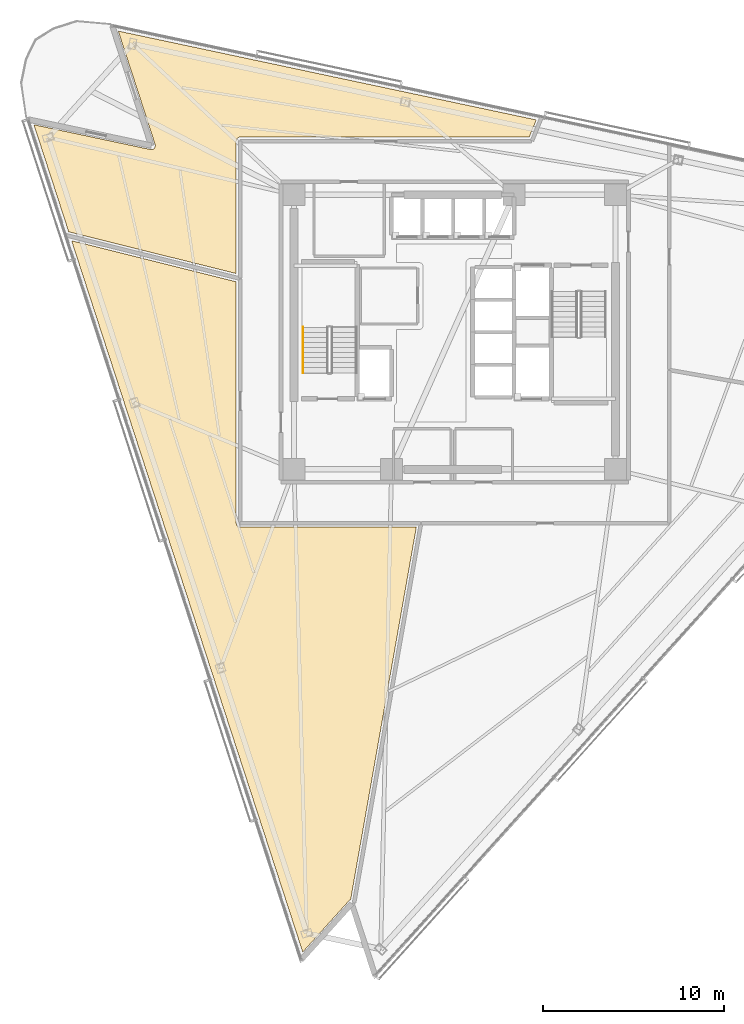
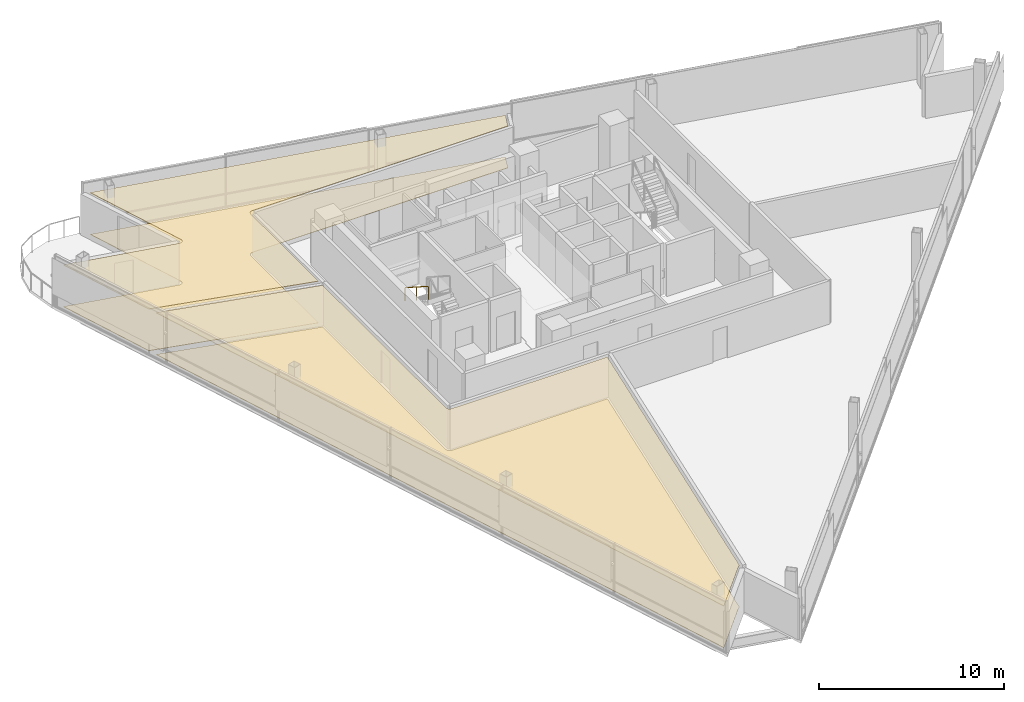
# One storey, part 14 of 16: 4 coverings, 1 railing.
"""IFC4 building model written with IfcOpenShell, lengths in metres."""

from ifc_helpers import new_model, si_unit, direction, frame, origin, origin_2d, place, context, subcontext, project, spatial, polyline, rectangle, outline, extrude, material, layer, layer_set, type_object, element, save


model = new_model("IFC4")

# Units and contexts
model_context = context("Model", 3, precision=1e-05, world=origin(), true_north=direction((0.0, 1.0)))
body_context = subcontext(model_context, "Body", "Model", "MODEL_VIEW")
ifc_project = project(units=[si_unit("LENGTHUNIT", "METRE"), si_unit("AREAUNIT", "SQUARE_METRE"), si_unit("VOLUMEUNIT", "CUBIC_METRE"), si_unit("PLANEANGLEUNIT", "RADIAN"), si_unit("MASSUNIT", "GRAM", prefix="KILO")], contexts=[model_context])

# Site, building, storey
site_placement = place(None, origin())
site = spatial("IfcSite", under=ifc_project, at=site_placement, CompositionType="ELEMENT")
building_placement = place(site_placement, origin())
building = spatial("IfcBuilding", under=site, at=building_placement, Name="Tharavind Bronze Gate", CompositionType="ELEMENT")
storey_placement = place(building_placement, frame((0.0, 0.0, 211.25)))
storey = spatial("IfcBuildingStorey", under=building, at=storey_placement, Name="L54", CompositionType="ELEMENT", Elevation=211.25)

# Coverings
ifc_material_1 = material(Name="Perforated Bronze Acoustic Panel", Category="bronze")
ifc_layer_1 = layer(ifc_material_1, 0.044921875)
ifc_layer_set_1 = layer_set([ifc_layer_1], Name="Perforated Bronze Acoustic Panel")
covering_type_1 = type_object("IfcCoveringType", Name="ACOUSTIC BRONZE BAFFLE CEILING", PredefinedType="CEILING", material=ifc_layer_set_1)
covering_1_placement = place(storey_placement, frame((0.0, 0.0, 2.75)))
element("IfcCovering", 1, at=covering_1_placement, inside=storey, type_object=covering_type_1, Name="L54-RM-01 suspended ceiling", PredefinedType="CEILING", context=body_context, shape_type="SweptSolid", body=[
    extrude(outline(polyline([(-21.376708984375, 5.556396484375), (-12.10009765625, 3.24365234375), (-12.10009765625, 10.579345703125), (-12.099609375, 10.590087890625), (-12.099609375, 10.5908203125), (-12.09765625, 10.6123046875), (-12.093505859375, 10.63330078125), (-12.087158203125, 10.654052734375), (-12.078857421875, 10.674072265625), (-12.068603515625, 10.693115234375), (-12.056640625, 10.7109375), (-12.04296875, 10.727783203125), (-12.027587890625, 10.742919921875), (-12.010986328125, 10.756591796875), (-11.9931640625, 10.768798828125), (-11.97412109375, 10.77880859375), (-11.9541015625, 10.787109375), (-11.933349609375, 10.79345703125), (-11.912353515625, 10.797607421875), (-11.890869140625, 10.7998046875), (-11.89013671875, 10.7998046875), (-11.87939453125, 10.800048828125), (4.126220703125, 10.800048828125), (4.511474609375, 11.753662109375), (-18.6328125, 16.673095703125), (-16.59375, 10.39794921875), (-16.590576171875, 10.387451171875), (-16.59033203125, 10.38671875), (-16.585693359375, 10.365478515625), (-16.583251953125, 10.343505859375), (-16.5830078125, 10.32177734375), (-16.584716796875, 10.2998046875), (-16.5888671875, 10.2783203125), (-16.594970703125, 10.257080078125), (-16.60302734375, 10.23681640625), (-16.61328125, 10.21728515625), (-16.62548828125, 10.19921875), (-16.63916015625, 10.18212890625), (-16.65478515625, 10.16650390625), (-16.671630859375, 10.152587890625), (-16.68994140625, 10.140380859375), (-16.709228515625, 10.130126953125), (-16.7294921875, 10.121826171875), (-16.75048828125, 10.115478515625), (-16.772216796875, 10.111572265625), (-16.7939453125, 10.109619140625), (-16.81591796875, 10.109619140625), (-16.837646484375, 10.112060546875), (-16.83837890625, 10.1123046875), (-16.84912109375, 10.1142578125), (-23.30322265625, 11.486083984375), (-21.376708984375, 5.556396484375)])), origin(), (0.0, 0.0, 1.0), 0.034912109375),
])
ifc_material_2 = material(Name="Engineered Oak & Carpet Tile", Category="wood")
ifc_layer_2 = layer(ifc_material_2, 0.02490234375)
ifc_layer_set_2 = layer_set([ifc_layer_2], Name="Engineered Oak & Carpet Tile")
covering_type_2 = type_object("IfcCoveringType", Name="ENGINEERED TIMBER FLOORING", PredefinedType="FLOORING", material=ifc_layer_set_2)
covering_2_placement = place(storey_placement, origin())
element("IfcCovering", 2, at=covering_2_placement, inside=storey, type_object=covering_type_2, Name="L54-RM-02 floor finish", PredefinedType="FLOORING", context=body_context, shape_type="SweptSolid", body=[
    extrude(outline(polyline([(-8.417236328125, -34.328369140625), (-5.870361328125, -31.499755859375), (-5.86279296875, -31.49169921875), (-5.8623046875, -31.4912109375), (-5.84619140625, -31.4765625), (-5.82861328125, -31.46337890625), (-5.809814453125, -31.4521484375), (-5.789794921875, -31.44287109375), (-5.769287109375, -31.435546875), (-5.76611328125, -31.434814453125), (-2.127685546875, -10.800048828125), (-11.87939453125, -10.800048828125), (-11.89013671875, -10.7998046875), (-11.890869140625, -10.7998046875), (-11.912353515625, -10.797607421875), (-11.933349609375, -10.79345703125), (-11.9541015625, -10.787109375), (-11.97412109375, -10.77880859375), (-11.9931640625, -10.768798828125), (-12.010986328125, -10.756591796875), (-12.027587890625, -10.742919921875), (-12.04296875, -10.727783203125), (-12.056640625, -10.7109375), (-12.068603515625, -10.693115234375), (-12.078857421875, -10.674072265625), (-12.087158203125, -10.654052734375), (-12.093505859375, -10.63330078125), (-12.09765625, -10.6123046875), (-12.099609375, -10.5908203125), (-12.099609375, -10.590087890625), (-12.10009765625, -10.579345703125), (-12.10009765625, 2.7900390625), (-21.21630859375, 5.06298828125), (-8.417236328125, -34.328369140625)])), origin(), (0.0, 0.0, 1.0), 0.02490234375),
])
ifc_material_3 = material(Name="Acoustic Gypsum Board", Category="gypsum")
ifc_layer_3 = layer(ifc_material_3, 0.030029296875)
ifc_layer_set_3 = layer_set([ifc_layer_3], Name="Acoustic Gypsum Board")
covering_type_3 = type_object("IfcCoveringType", Name="GYPSUM SUSPENDED CEILING", PredefinedType="CEILING", material=ifc_layer_set_3)
covering_3_placement = place(storey_placement, frame((0.0, 0.0, 2.75)))
element("IfcCovering", 3, at=covering_3_placement, inside=storey, type_object=covering_type_3, Name="L54-RM-02 suspended ceiling", PredefinedType="CEILING", context=body_context, shape_type="SweptSolid", body=[
    extrude(outline(polyline([(-8.417236328125, -34.328369140625), (-5.870361328125, -31.499755859375), (-5.86279296875, -31.49169921875), (-5.8623046875, -31.4912109375), (-5.84619140625, -31.4765625), (-5.82861328125, -31.46337890625), (-5.809814453125, -31.4521484375), (-5.789794921875, -31.44287109375), (-5.769287109375, -31.435546875), (-5.76611328125, -31.434814453125), (-2.127685546875, -10.800048828125), (-11.87939453125, -10.800048828125), (-11.89013671875, -10.7998046875), (-11.890869140625, -10.7998046875), (-11.912353515625, -10.797607421875), (-11.933349609375, -10.79345703125), (-11.9541015625, -10.787109375), (-11.97412109375, -10.77880859375), (-11.9931640625, -10.768798828125), (-12.010986328125, -10.756591796875), (-12.027587890625, -10.742919921875), (-12.04296875, -10.727783203125), (-12.056640625, -10.7109375), (-12.068603515625, -10.693115234375), (-12.078857421875, -10.674072265625), (-12.087158203125, -10.654052734375), (-12.093505859375, -10.63330078125), (-12.09765625, -10.6123046875), (-12.099609375, -10.5908203125), (-12.099609375, -10.590087890625), (-12.10009765625, -10.579345703125), (-12.10009765625, 2.7900390625), (-21.21630859375, 5.06298828125), (-8.417236328125, -34.328369140625)])), origin(), (0.0, 0.0, 1.0), 0.034912109375),
])
ifc_material_4 = material(Name="Honed Travertine Limestone", Category="masonry")
ifc_layer_4 = layer(ifc_material_4, 0.030029296875)
ifc_layer_set_4 = layer_set([ifc_layer_4], Name="Honed Travertine Limestone")
covering_type_4 = type_object("IfcCoveringType", Name="HONED LIMESTONE FLOORING", PredefinedType="FLOORING", material=ifc_layer_set_4)
covering_4_placement = place(storey_placement, origin())
element("IfcCovering", 4, at=covering_4_placement, inside=storey, type_object=covering_type_4, Name="L54-RM-01 floor finish", PredefinedType="FLOORING", context=body_context, shape_type="SweptSolid", body=[
    extrude(outline(polyline([(-21.376708984375, 5.556396484375), (-12.10009765625, 3.24365234375), (-12.10009765625, 10.579345703125), (-12.099609375, 10.590087890625), (-12.099609375, 10.5908203125), (-12.09765625, 10.6123046875), (-12.093505859375, 10.63330078125), (-12.087158203125, 10.654052734375), (-12.078857421875, 10.674072265625), (-12.068603515625, 10.693115234375), (-12.056640625, 10.7109375), (-12.04296875, 10.727783203125), (-12.027587890625, 10.742919921875), (-12.010986328125, 10.756591796875), (-11.9931640625, 10.768798828125), (-11.97412109375, 10.77880859375), (-11.9541015625, 10.787109375), (-11.933349609375, 10.79345703125), (-11.912353515625, 10.797607421875), (-11.890869140625, 10.7998046875), (-11.89013671875, 10.7998046875), (-11.87939453125, 10.800048828125), (4.126220703125, 10.800048828125), (4.511474609375, 11.753662109375), (-18.6328125, 16.673095703125), (-16.59375, 10.39794921875), (-16.590576171875, 10.387451171875), (-16.59033203125, 10.38671875), (-16.585693359375, 10.365478515625), (-16.583251953125, 10.343505859375), (-16.5830078125, 10.32177734375), (-16.584716796875, 10.2998046875), (-16.5888671875, 10.2783203125), (-16.594970703125, 10.257080078125), (-16.60302734375, 10.23681640625), (-16.61328125, 10.21728515625), (-16.62548828125, 10.19921875), (-16.63916015625, 10.18212890625), (-16.65478515625, 10.16650390625), (-16.671630859375, 10.152587890625), (-16.68994140625, 10.140380859375), (-16.709228515625, 10.130126953125), (-16.7294921875, 10.121826171875), (-16.75048828125, 10.115478515625), (-16.772216796875, 10.111572265625), (-16.7939453125, 10.109619140625), (-16.81591796875, 10.109619140625), (-16.837646484375, 10.112060546875), (-16.83837890625, 10.1123046875), (-16.84912109375, 10.1142578125), (-23.30322265625, 11.486083984375), (-21.376708984375, 5.556396484375)])), origin(), (0.0, 0.0, 1.0), 0.02490234375),
])

# Railing
ifc_material_5 = material(Name="Brushed Bronze Alloy", Category="metal")
railing_type = type_object("IfcRailingType", Name="STAIR BRONZE HANDRAIL 900", PredefinedType="HANDRAIL", material=ifc_material_5)
railing_placement = place(storey_placement, frame((-8.39990234375, 0.27001953125, 1.97998046875)))
element("IfcRailing", 5, at=railing_placement, inside=storey, type_object=railing_type, Name="L54 ST1 stair handrail 2", PredefinedType="HANDRAIL", context=body_context, shape_type="SweptSolid", body=[
    extrude(rectangle(XDim=0.048095703125, YDim=0.048095703125, at=origin_2d()), frame((0.0, -0.02685546875, 0.89306640625), z_axis=(0.0, -0.841162588446, 0.540782303519), x_axis=(1.0, 0.0, 0.0)), (0.0, 0.0, 1.0), 2.931884765625),
    extrude(rectangle(XDim=0.0400390625, YDim=0.0400390625, at=origin_2d()), origin(), (0.0, 0.0, 1.0), 0.847900390625),
    extrude(rectangle(XDim=0.0400390625, YDim=0.0400390625, at=origin_2d()), frame((0.0, -1.260009765625, 0.81005859375)), (0.0, 0.0, 1.0), 0.847900390625),
    extrude(rectangle(XDim=0.0400390625, YDim=0.0400390625, at=origin_2d()), frame((0.0, -2.52001953125, 1.6201171875)), (0.0, 0.0, 1.0), 0.847900390625),
])

save(model, "model.ifc")
